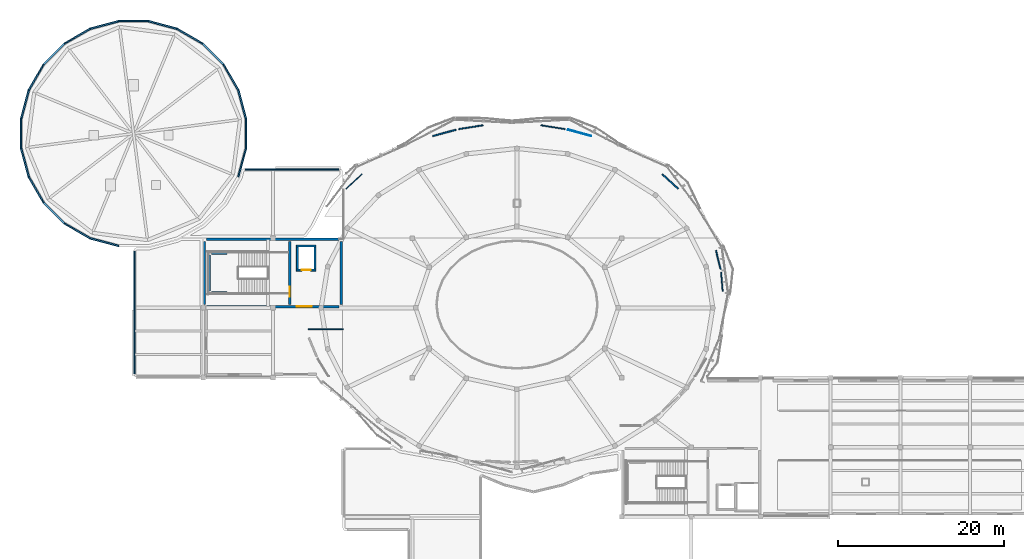
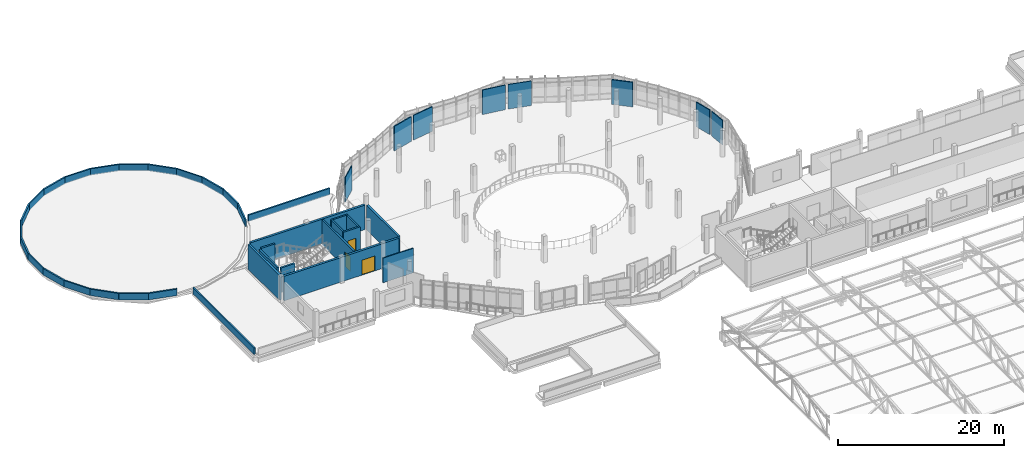
# One storey, part 61 of 74: 42 walls, 3 doors, 3 openings.
"""IFC4 building model written with IfcOpenShell, lengths in metres."""

from ifc_helpers import new_model, si_unit, derived_unit, direction, frame, frame_2d, origin, place, context, subcontext, project, spatial, rectangle, extrude, material, layer, layer_set, type_object, element, fill, save


model = new_model("IFC4")

# Units and contexts
model_context = context("Model", 3, precision=1e-05, world=origin(), true_north=direction((0.0, 1.0)))
body_context = subcontext(model_context, "Body", "Model", "MODEL_VIEW")
ifc_project = project(units=[si_unit("LENGTHUNIT", "METRE"), si_unit("AREAUNIT", "SQUARE_METRE"), si_unit("VOLUMEUNIT", "CUBIC_METRE"), si_unit("PLANEANGLEUNIT", "RADIAN"), si_unit("MASSUNIT", "GRAM", prefix="KILO"), derived_unit("THERMALTRANSMITTANCEUNIT", [(si_unit("POWERUNIT", "WATT"), 1), (si_unit("LENGTHUNIT", "METRE"), -2), (si_unit("THERMODYNAMICTEMPERATUREUNIT", "KELVIN"), -1)])], contexts=[model_context])

# Site, building, storey
site_placement = place(None, origin())
site = spatial("IfcSite", under=ifc_project, at=site_placement, CompositionType="ELEMENT")
building_placement = place(site_placement, origin())
building = spatial("IfcBuilding", under=site, at=building_placement, Name="Elbkamm Science Centre", CompositionType="ELEMENT")
storey_placement = place(building_placement, frame((0.0, 0.0, 14.39990234375)))
storey = spatial("IfcBuildingStorey", under=building, at=storey_placement, Name="L03", CompositionType="ELEMENT", Elevation=14.39990234375)

# Walls
ifc_material_1 = material(Name="Reinforced concrete C40/50", Category="concrete")
ifc_layer_1 = layer(ifc_material_1, 0.25)
ifc_layer_set_1 = layer_set([ifc_layer_1], Name="Reinforced concrete C40/50")
wall_type_1 = type_object("IfcWallType", Name="WL-CORE-250", PredefinedType="SHEAR", material=ifc_layer_set_1)
wall_1_placement = place(storey_placement, frame((25.93994140625, 69.219970703125, 0.0), z_axis=(0.0, 0.0, 1.0), x_axis=(0.0, 1.0, 0.0)))
element("IfcWall", 1, at=wall_1_placement, inside=storey, type_object=wall_type_1, Name="L03 ST-C1 Shaft Bearing Wall W", PredefinedType="SHEAR", context=body_context, shape_type="SweptSolid", body=[
    extrude(rectangle(XDim=4.360107421875, YDim=0.25, at=frame_2d((2.18017578125, 0.0))), origin(), (0.0, 0.0, 1.0), 3.6201171875),
])
for number, where, z_axis, x_axis, name in (
    (2, (26.18994140625, 69.02001953125, 0.0), (0.0, 0.0, 1.0), (1.0, 0.0, 0.0), "L03 ST-C1 Shaft Bearing Wall S"),
    (3, (26.18994140625, 73.780029296875, 0.0), (0.0, 0.0, 1.0), (1.0, 0.0, 0.0), "L03 ST-C1 Shaft Bearing Wall N"),
):
    element("IfcWall", number, at=place(storey_placement, frame(where, z_axis=z_axis, x_axis=x_axis)), inside=storey, type_object=wall_type_1, Name=name, PredefinedType="SHEAR", context=body_context, shape_type="SweptSolid", body=[
        extrude(rectangle(XDim=1.89013671875, YDim=0.25, at=frame_2d((0.945068359375, 0.0))), origin(), (0.0, 0.0, 1.0), 3.6201171875),
    ])

# Wall, opening, door
wall_2_placement = place(storey_placement, frame((35.6201171875, 67.6201171875, 0.0), z_axis=(0.0, 0.0, 1.0), x_axis=(0.0, 1.0, 0.0)))
wall_2 = element("IfcWall", 4, at=wall_2_placement, inside=storey, type_object=wall_type_1, Name="L03 C1 Stairwell Compartment Wall", PredefinedType="SHEAR", context=body_context, shape_type="SweptSolid", body=[
    extrude(rectangle(XDim=7.559814453125, YDim=0.25, at=frame_2d((3.77978515625, 0.0))), origin(), (0.0, 0.0, 1.0), 3.6201171875),
])
opening_1_placement = place(wall_2_placement, frame((0.89990234375, 0.0, 0.0)))
opening_1 = element("IfcOpeningElement", 5, at=opening_1_placement, cuts=wall_2, Name="Opening DC-02", PredefinedType="OPENING", context=body_context, shape_type="SweptSolid", body=[
    extrude(rectangle(XDim=1.199951171875, YDim=2.199951171875, at=frame_2d((0.60009765625, 1.10009765625))), frame((0.0, 0.136962890625, 0.0), z_axis=(0.0, -1.0, 0.0), x_axis=(1.0, 0.0, 0.0)), (0.0, 0.0, 1.0), 0.27392578125),
])
ifc_material_2 = material(Name="Fire-rated steel acoustic door", Category="steel")
ifc_layer_2 = layer(ifc_material_2, 0.050048828125)
ifc_layer_set_2 = layer_set([ifc_layer_2], Name="Fire-rated steel acoustic door")
door_type_1 = type_object("IfcDoorType", Name="DR-CORE-1200x2200", OperationType="NOTDEFINED", PredefinedType="DOOR", material=ifc_layer_set_2)
door_1_placement = place(opening_1_placement, origin())
door_1 = element("IfcDoor", 6, at=door_1_placement, inside=storey, type_object=door_type_1, Name="L03 ST-C1 Stairwell Fire Door", OperationType="SINGLE_SWING_LEFT", OverallHeight=2.199951171875, OverallWidth=1.199951171875, PredefinedType="DOOR", context=body_context, shape_type="SweptSolid", body=[
    extrude(rectangle(XDim=1.199951171875, YDim=2.199951171875, at=frame_2d((0.60009765625, 1.10009765625))), frame((0.0, 0.02490234375, 0.0), z_axis=(0.0, -1.0, 0.0), x_axis=(1.0, 0.0, 0.0)), (0.0, 0.0, 1.0), 0.050048828125),
])
fill(opening_1, door_1)

ifc_layer_3 = layer(ifc_material_1, 0.300048828125)
ifc_layer_set_3 = layer_set([ifc_layer_3], Name="Reinforced concrete C40/50")
wall_type_2 = type_object("IfcWallType", Name="WL-CORE-300", PredefinedType="SHEAR", material=ifc_layer_set_3)
wall_3_placement = place(storey_placement, frame((25.6201171875, 67.35009765625, 0.0), z_axis=(0.0, 0.0, 1.0), x_axis=(1.0, 0.0, 0.0)))
wall_3 = element("IfcWall", 7, at=wall_3_placement, inside=storey, type_object=wall_type_2, Name="L03 Core C1 Northwest Planetarium and Exhibition Core Shear Wall S", PredefinedType="SHEAR", context=body_context, shape_type="SweptSolid", body=[
    extrude(rectangle(XDim=15.9599609375, YDim=0.300048828125, at=frame_2d((7.97998046875, 0.0))), origin(), (0.0, 0.0, 1.0), 3.6201171875),
])
opening_2_placement = place(wall_3_placement, frame((10.860107421875, 0.0, 0.0)))
opening_2 = element("IfcOpeningElement", 8, at=opening_2_placement, cuts=wall_3, Name="Opening DC-01", PredefinedType="OPENING", context=body_context, shape_type="SweptSolid", body=[
    extrude(rectangle(XDim=1.800048828125, YDim=2.199951171875, at=frame_2d((0.89990234375, 1.10009765625))), frame((0.0, 0.162109375, 0.0), z_axis=(0.0, -1.0, 0.0), x_axis=(1.0, 0.0, 0.0)), (0.0, 0.0, 1.0), 0.323974609375),
])
ifc_layer_4 = layer(ifc_material_2, 0.050048828125)
ifc_layer_set_4 = layer_set([ifc_layer_4], Name="Fire-rated steel acoustic door")
door_type_2 = type_object("IfcDoorType", Name="DR-CORE-1800x2200", OperationType="DOUBLE_DOOR_SINGLE_SWING", PredefinedType="DOOR", material=ifc_layer_set_4)
door_2_placement = place(opening_2_placement, origin())
door_2 = element("IfcDoor", 9, at=door_2_placement, inside=storey, type_object=door_type_2, Name="L03 C1 Core Lobby Fire Door", OperationType="DOUBLE_DOOR_SINGLE_SWING", OverallHeight=2.199951171875, OverallWidth=1.800048828125, PredefinedType="DOOR", context=body_context, shape_type="SweptSolid", body=[
    extrude(rectangle(XDim=1.800048828125, YDim=2.199951171875, at=frame_2d((0.89990234375, 1.10009765625))), frame((0.0, 0.02490234375, 0.0), z_axis=(0.0, -1.0, 0.0), x_axis=(1.0, 0.0, 0.0)), (0.0, 0.0, 1.0), 0.050048828125),
])
fill(opening_2, door_2)

# Walls
wall_4_placement = place(storey_placement, frame((25.6201171875, 75.449951171875, 0.0), z_axis=(0.0, 0.0, 1.0), x_axis=(1.0, 0.0, 0.0)))
element("IfcWall", 10, at=wall_4_placement, inside=storey, type_object=wall_type_2, Name="L03 Core C1 Northwest Planetarium and Exhibition Core Shear Wall N", PredefinedType="SHEAR", context=body_context, shape_type="SweptSolid", body=[
    extrude(rectangle(XDim=15.9599609375, YDim=0.300048828125, at=frame_2d((7.97998046875, 0.0))), origin(), (0.0, 0.0, 1.0), 3.6201171875),
])
for number, where, z_axis, x_axis, name in (
    (11, (25.35009765625, 67.6201171875, 0.0), (0.0, 0.0, 1.0), (0.0, 1.0, 0.0), "L03 Core C1 Northwest Planetarium and Exhibition Core Shear Wall W"),
    (12, (41.85009765625, 67.6201171875, 0.0), (0.0, 0.0, 1.0), (0.0, 1.0, 0.0), "L03 Core C1 Northwest Planetarium and Exhibition Core Shear Wall E"),
):
    element("IfcWall", number, at=place(storey_placement, frame(where, z_axis=z_axis, x_axis=x_axis)), inside=storey, type_object=wall_type_2, Name=name, PredefinedType="SHEAR", context=body_context, shape_type="SweptSolid", body=[
        extrude(rectangle(XDim=7.559814453125, YDim=0.300048828125, at=frame_2d((3.77978515625, 0.0))), origin(), (0.0, 0.0, 1.0), 3.6201171875),
    ])
ifc_material_3 = material(Name="White precast concrete C40/50", Category="concrete")
ifc_layer_5 = layer(ifc_material_3, 0.18994140625)
ifc_layer_set_5 = layer_set([ifc_layer_5], Name="White precast concrete C40/50")
wall_type_3 = type_object("IfcWallType", Name="WL-PAR-190", PredefinedType="PARAPET", material=ifc_layer_set_5)
wall_5_placement = place(storey_placement, frame((30.341796875, 86.4169921875, 0.06005859375), z_axis=(0.0, 0.0, 1.0), x_axis=(-0.258821647913, -0.965925128864, 0.0)))
element("IfcWall", 13, at=wall_5_placement, inside=storey, type_object=wall_type_3, Name="L03 Roof Parapet Wall 001", PredefinedType="PARAPET", context=body_context, shape_type="SweptSolid", body=[
    extrude(rectangle(XDim=3.565673828125, YDim=0.18994140625, at=frame_2d((1.78271484375, 0.0))), origin(), (0.0, 0.0, 1.0), 0.949951171875),
])
for number, where, z_axis, x_axis, name in (
    (14, (11.572998046875, 75.5810546875, 0.06005859375), (0.0, 0.0, 1.0), (-0.86603507536, 0.499983247966, 0.0), "L03 Roof Parapet Wall 003"),
    (15, (5.963623046875, 79.885009765625, 0.06005859375), (0.0, 0.0, 1.0), (-0.499983247966, 0.86603507536, 0.0), "L03 Roof Parapet Wall 005"),
):
    element("IfcWall", number, at=place(storey_placement, frame(where, z_axis=z_axis, x_axis=x_axis)), inside=storey, type_object=wall_type_3, Name=name, PredefinedType="PARAPET", context=body_context, shape_type="SweptSolid", body=[
        extrude(rectangle(XDim=3.5654296875, YDim=0.18994140625, at=frame_2d((1.78271484375, 0.0))), origin(), (0.0, 0.0, 1.0), 0.949951171875),
    ])
wall_6_placement = place(storey_placement, frame((3.258056640625, 86.4169921875, 0.06005859375), z_axis=(0.0, 0.0, 1.0), x_axis=(0.0, 1.0, 0.0)))
element("IfcWall", 16, at=wall_6_placement, inside=storey, type_object=wall_type_3, Name="L03 Roof Parapet Wall 007", PredefinedType="PARAPET", context=body_context, shape_type="SweptSolid", body=[
    extrude(rectangle(XDim=3.56591796875, YDim=0.18994140625, at=frame_2d((1.782958984375, 0.0))), origin(), (0.0, 0.0, 1.0), 0.949951171875),
])
for number, where, z_axis, x_axis, name in (
    (17, (4.180908203125, 93.427001953125, 0.06005859375), (0.0, 0.0, 1.0), (0.499983247966, 0.86603507536, 0.0), "L03 Roof Parapet Wall 009"),
    (18, (8.485107421875, 99.036376953125, 0.06005859375), (0.0, 0.0, 1.0), (0.86603507536, 0.499983247966, 0.0), "L03 Roof Parapet Wall 011"),
):
    element("IfcWall", number, at=place(storey_placement, frame(where, z_axis=z_axis, x_axis=x_axis)), inside=storey, type_object=wall_type_3, Name=name, PredefinedType="PARAPET", context=body_context, shape_type="SweptSolid", body=[
        extrude(rectangle(XDim=3.5654296875, YDim=0.18994140625, at=frame_2d((1.78271484375, 0.0))), origin(), (0.0, 0.0, 1.0), 0.949951171875),
    ])
wall_7_placement = place(storey_placement, frame((15.01708984375, 101.741943359375, 0.06005859375), z_axis=(0.0, 0.0, 1.0), x_axis=(1.0, 0.0, 0.0)))
element("IfcWall", 19, at=wall_7_placement, inside=storey, type_object=wall_type_3, Name="L03 Roof Parapet Wall 013", PredefinedType="PARAPET", context=body_context, shape_type="SweptSolid", body=[
    extrude(rectangle(XDim=3.56591796875, YDim=0.18994140625, at=frame_2d((1.782958984375, 0.0))), origin(), (0.0, 0.0, 1.0), 0.949951171875),
])
for number, where, z_axis, x_axis, name in (
    (20, (22.027099609375, 100.819091796875, 0.06005859375), (0.0, 0.0, 1.0), (0.86603507536, -0.499983247966, 0.0), "L03 Roof Parapet Wall 015"),
    (21, (27.63623046875, 96.514892578125, 0.06005859375), (0.0, 0.0, 1.0), (0.499983247966, -0.86603507536, 0.0), "L03 Roof Parapet Wall 017"),
):
    element("IfcWall", number, at=place(storey_placement, frame(where, z_axis=z_axis, x_axis=x_axis)), inside=storey, type_object=wall_type_3, Name=name, PredefinedType="PARAPET", context=body_context, shape_type="SweptSolid", body=[
        extrude(rectangle(XDim=3.5654296875, YDim=0.18994140625, at=frame_2d((1.78271484375, 0.0))), origin(), (0.0, 0.0, 1.0), 0.949951171875),
    ])
wall_8_placement = place(storey_placement, frame((30.341796875, 89.98291015625, 0.06005859375), z_axis=(0.0, 0.0, 1.0), x_axis=(0.0, -1.0, 0.0)))
element("IfcWall", 22, at=wall_8_placement, inside=storey, type_object=wall_type_3, Name="L03 Roof Parapet Wall 019", PredefinedType="PARAPET", context=body_context, shape_type="SweptSolid", body=[
    extrude(rectangle(XDim=3.56591796875, YDim=0.18994140625, at=frame_2d((1.782958984375, 0.0))), origin(), (0.0, 0.0, 1.0), 0.949951171875),
])
wall_9_placement = place(storey_placement, frame((16.93994140625, 59.25341796875, 0.0), z_axis=(0.0, 0.0, 1.0), x_axis=(0.0, 1.0, 0.0)))
element("IfcWall", 23, at=wall_9_placement, inside=storey, type_object=wall_type_3, Name="L03 Roof Parapet Wall 043", PredefinedType="PARAPET", context=body_context, shape_type="SweptSolid", body=[
    extrude(rectangle(XDim=14.76123046875, YDim=0.18994140625, at=frame_2d((7.380615234375, 0.0))), origin(), (0.0, 0.0, 1.0), 0.9501953125),
])
ifc_layer_6 = layer(ifc_material_3, 0.2099609375)
ifc_layer_set_6 = layer_set([ifc_layer_6], Name="White precast concrete C40/50")
wall_type_4 = type_object("IfcWallType", Name="WL-PAR-210", PredefinedType="PARAPET", material=ifc_layer_set_6)
for number, where, z_axis, x_axis, name in (
    (24, (15.01708984375, 74.658203125, 0.06005859375), (0.0, 0.0, 1.0), (-0.965925128864, 0.258821647913, 0.0), "L03 Roof Parapet Wall 002"),
    (25, (8.485107421875, 77.36376953125, 0.06005859375), (0.0, 0.0, 1.0), (-0.707141014528, 0.707072546188, 0.0), "L03 Roof Parapet Wall 004"),
    (26, (4.180908203125, 82.972900390625, 0.06005859375), (0.0, 0.0, 1.0), (-0.258821647913, 0.965925128864, 0.0), "L03 Roof Parapet Wall 006"),
    (27, (3.258056640625, 89.98291015625, 0.06005859375), (0.0, 0.0, 1.0), (0.258821647913, 0.965925128864, 0.0), "L03 Roof Parapet Wall 008"),
):
    element("IfcWall", number, at=place(storey_placement, frame(where, z_axis=z_axis, x_axis=x_axis)), inside=storey, type_object=wall_type_4, Name=name, PredefinedType="PARAPET", context=body_context, shape_type="SweptSolid", body=[
        extrude(rectangle(XDim=3.565673828125, YDim=0.2099609375, at=frame_2d((1.78271484375, 0.0))), origin(), (0.0, 0.0, 1.0), 0.949951171875),
    ])
wall_10_placement = place(storey_placement, frame((5.963623046875, 96.514892578125, 0.06005859375), z_axis=(0.0, 0.0, 1.0), x_axis=(0.707106781187, 0.707106781187, 0.0)))
element("IfcWall", 28, at=wall_10_placement, inside=storey, type_object=wall_type_4, Name="L03 Roof Parapet Wall 010", PredefinedType="PARAPET", context=body_context, shape_type="SweptSolid", body=[
    extrude(rectangle(XDim=3.56591796875, YDim=0.2099609375, at=frame_2d((1.782958984375, 0.0))), origin(), (0.0, 0.0, 1.0), 0.949951171875),
])
for number, where, z_axis, x_axis, name in (
    (29, (11.572998046875, 100.819091796875, 0.06005859375), (0.0, 0.0, 1.0), (0.965925128864, 0.258821647913, 0.0), "L03 Roof Parapet Wall 012"),
    (30, (18.5830078125, 101.741943359375, 0.06005859375), (0.0, 0.0, 1.0), (0.965925128864, -0.258821647913, 0.0), "L03 Roof Parapet Wall 014"),
    (31, (25.114990234375, 99.036376953125, 0.06005859375), (0.0, 0.0, 1.0), (0.707072546188, -0.707141014528, 0.0), "L03 Roof Parapet Wall 016"),
    (32, (29.4189453125, 93.427001953125, 0.06005859375), (0.0, 0.0, 1.0), (0.258821647913, -0.965925128864, 0.0), "L03 Roof Parapet Wall 018"),
):
    element("IfcWall", number, at=place(storey_placement, frame(where, z_axis=z_axis, x_axis=x_axis)), inside=storey, type_object=wall_type_4, Name=name, PredefinedType="PARAPET", context=body_context, shape_type="SweptSolid", body=[
        extrude(rectangle(XDim=3.565673828125, YDim=0.2099609375, at=frame_2d((1.78271484375, 0.0))), origin(), (0.0, 0.0, 1.0), 0.949951171875),
    ])
wall_11_placement = place(storey_placement, frame((30.23974609375, 83.860107421875, 0.0), z_axis=(0.0, 0.0, 1.0), x_axis=(1.0, 0.0, 0.0)))
element("IfcWall", 33, at=wall_11_placement, inside=storey, type_object=wall_type_4, Name="L03 Roof Parapet Wall 044", PredefinedType="PARAPET", context=body_context, shape_type="SweptSolid", body=[
    extrude(rectangle(XDim=11.306640625, YDim=0.2099609375, at=frame_2d((5.6533203125, 0.0))), origin(), (0.0, 0.0, 1.0), 0.9501953125),
])
ifc_material_4 = material(Name="Drywall service partition", Category="gypsum")
ifc_layer_7 = layer(ifc_material_4, 0.10009765625)
ifc_layer_set_7 = layer_set([ifc_layer_7], Name="Drywall service partition")
wall_type_5 = type_object("IfcWallType", Name="WL-PART-100", PredefinedType="PARTITIONING", material=ifc_layer_set_7)
wall_12_placement = place(storey_placement, frame((42.381591796875, 81.540283203125, 0.0), z_axis=(0.0, 0.0, 1.0), x_axis=(0.737472367945, 0.675377306784, 0.0)))
element("IfcWall", 34, at=wall_12_placement, inside=storey, type_object=wall_type_5, Name="L03 Wave and Physics Exhibition Hall Partition 0195", PredefinedType="PARTITIONING", context=body_context, shape_type="SweptSolid", body=[
    extrude(rectangle(XDim=2.610595703125, YDim=0.10009765625, at=frame_2d((1.30517578125, 0.0))), origin(), (0.0, 0.0, 1.0), 3.6201171875),
])
wall_13_placement = place(storey_placement, frame((69.147705078125, 88.65771484375, 0.0), z_axis=(0.0, 0.0, 1.0), x_axis=(0.964754110376, -0.263153009695, 0.0)))
element("IfcWall", 35, at=wall_13_placement, inside=storey, type_object=wall_type_5, Name="L03 Wave and Physics Exhibition Hall Partition 0199", PredefinedType="PARTITIONING", context=body_context, shape_type="SweptSolid", body=[
    extrude(rectangle(XDim=2.901123046875, YDim=0.10009765625, at=frame_2d((1.45068359375, 0.0))), origin(), (0.0, 0.0, 1.0), 3.6201171875),
])
ifc_material_5 = material(Name="Lightweight metal-stud gypsum partition", Category="gypsum")
ifc_layer_8 = layer(ifc_material_5, 0.125)
ifc_layer_set_8 = layer_set([ifc_layer_8], Name="Lightweight metal-stud gypsum partition")
wall_type_6 = type_object("IfcWallType", Name="WL-PART-125", PredefinedType="PARTITIONING", material=ifc_layer_set_8)
wall_14_placement = place(storey_placement, frame((65.89306640625, 89.197021484375, 0.0), z_axis=(0.0, 0.0, 1.0), x_axis=(0.987488776564, -0.157689302615, 0.0)))
element("IfcWall", 36, at=wall_14_placement, inside=storey, type_object=wall_type_6, Name="L03 Wave and Physics Exhibition Hall Partition 0198", PredefinedType="PARTITIONING", context=body_context, shape_type="SweptSolid", body=[
    extrude(rectangle(XDim=2.940185546875, YDim=0.125, at=frame_2d((1.47021484375, 0.0))), origin(), (0.0, 0.0, 1.0), 3.6201171875),
])
wall_15_placement = place(storey_placement, frame((87.597412109375, 71.4833984375, 0.0), z_axis=(0.0, 0.0, 1.0), x_axis=(0.081323468915, -0.996687761239, 0.0)))
element("IfcWall", 37, at=wall_15_placement, inside=storey, type_object=wall_type_6, Name="L03 Wave and Physics Exhibition Hall Partition 0202", PredefinedType="PARTITIONING", context=body_context, shape_type="SweptSolid", body=[
    extrude(rectangle(XDim=2.3115234375, YDim=0.125, at=frame_2d((1.15576171875, 0.0))), origin(), (0.0, 0.0, 1.0), 3.6201171875),
])
ifc_material_6 = material(Name="Acoustic metal-stud gypsum partition", Category="gypsum")
ifc_layer_9 = layer(ifc_material_6, 0.139892578125)
ifc_layer_set_9 = layer_set([ifc_layer_9], Name="Acoustic metal-stud gypsum partition")
wall_type_7 = type_object("IfcWallType", Name="WL-PART-140", PredefinedType="PARTITIONING", material=ifc_layer_set_9)
wall_16_placement = place(storey_placement, frame((56.003662109375, 88.7333984375, 0.0), z_axis=(0.0, 0.0, 1.0), x_axis=(0.987488776564, 0.157689302615, 0.0)))
element("IfcWall", 38, at=wall_16_placement, inside=storey, type_object=wall_type_7, Name="L03 Wave and Physics Exhibition Hall Partition 0197", PredefinedType="PARTITIONING", context=body_context, shape_type="SweptSolid", body=[
    extrude(rectangle(XDim=2.940185546875, YDim=0.139892578125, at=frame_2d((1.47021484375, 0.0))), origin(), (0.0, 0.0, 1.0), 3.6201171875),
])
wall_17_placement = place(storey_placement, frame((86.977783203125, 74.105224609375, 0.0), z_axis=(0.0, 0.0, 1.0), x_axis=(0.240346685257, -0.970687112764, 0.0)))
element("IfcWall", 39, at=wall_17_placement, inside=storey, type_object=wall_type_7, Name="L03 Wave and Physics Exhibition Hall Partition 0201", PredefinedType="PARTITIONING", context=body_context, shape_type="SweptSolid", body=[
    extrude(rectangle(XDim=2.33642578125, YDim=0.139892578125, at=frame_2d((1.168212890625, 0.0))), origin(), (0.0, 0.0, 1.0), 3.6201171875),
])
wall_18_placement = place(storey_placement, frame((37.82763671875, 64.60009765625, 0.0), z_axis=(0.0, 0.0, 1.0), x_axis=(1.0, 0.0, 0.0)))
element("IfcWall", 40, at=wall_18_placement, inside=storey, type_object=wall_type_7, Name="L03 Wave and Physics Exhibition Hall Partition 0213", PredefinedType="PARTITIONING", context=body_context, shape_type="SweptSolid", body=[
    extrude(rectangle(XDim=4.242431640625, YDim=0.139892578125, at=frame_2d((2.12109375, 0.0))), origin(), (0.0, 0.0, 1.0), 3.6201171875),
])
ifc_layer_10 = layer(ifc_material_6, 0.159912109375)
ifc_layer_set_10 = layer_set([ifc_layer_10], Name="Acoustic metal-stud gypsum partition")
wall_type_8 = type_object("IfcWallType", Name="WL-PART-160", PredefinedType="PARTITIONING", material=ifc_layer_set_10)
wall_19_placement = place(storey_placement, frame((52.853515625, 87.894287109375, 0.0), z_axis=(0.0, 0.0, 1.0), x_axis=(0.964754110376, 0.263153009695, 0.0)))
element("IfcWall", 41, at=wall_19_placement, inside=storey, type_object=wall_type_8, Name="L03 Wave and Physics Exhibition Hall Partition 0196", PredefinedType="PARTITIONING", context=body_context, shape_type="SweptSolid", body=[
    extrude(rectangle(XDim=2.901123046875, YDim=0.159912109375, at=frame_2d((1.45068359375, 0.0))), origin(), (0.0, 0.0, 1.0), 3.6201171875),
])
wall_20_placement = place(storey_placement, frame((80.4931640625, 83.303466796875, 0.0), z_axis=(0.0, 0.0, 1.0), x_axis=(0.737472367945, -0.675377306784, 0.0)))
element("IfcWall", 42, at=wall_20_placement, inside=storey, type_object=wall_type_8, Name="L03 Wave and Physics Exhibition Hall Partition 0200", PredefinedType="PARTITIONING", context=body_context, shape_type="SweptSolid", body=[
    extrude(rectangle(XDim=2.610595703125, YDim=0.159912109375, at=frame_2d((1.30517578125, 0.0))), origin(), (0.0, 0.0, 1.0), 3.6201171875),
])
ifc_layer_11 = layer(ifc_material_1, 0.219970703125)
ifc_layer_set_11 = layer_set([ifc_layer_11], Name="Reinforced concrete C40/50")
wall_type_9 = type_object("IfcWallType", Name="WL-SHAFT-220", PredefinedType="SOLIDWALL", material=ifc_layer_set_11)
for number, where, z_axis, x_axis, name in (
    (43, (36.5400390625, 71.85009765625, 0.0), (0.0, 0.0, 1.0), (0.0, 1.0, 0.0), "L03 Lift FF1 Shaft West Wall"),
    (44, (38.659912109375, 71.85009765625, 0.0), (0.0, 0.0, 1.0), (0.0, 1.0, 0.0), "L03 Lift FF1 Shaft East Wall"),
):
    element("IfcWall", number, at=place(storey_placement, frame(where, z_axis=z_axis, x_axis=x_axis)), inside=storey, type_object=wall_type_9, Name=name, PredefinedType="SOLIDWALL", context=body_context, shape_type="SweptSolid", body=[
        extrude(rectangle(XDim=2.699951171875, YDim=0.219970703125, at=frame_2d((1.35009765625, 0.0))), origin(), (0.0, 0.0, 1.0), 3.6201171875),
    ])
wall_21_placement = place(storey_placement, frame((36.429931640625, 74.659912109375, 0.0), z_axis=(0.0, 0.0, 1.0), x_axis=(1.0, 0.0, 0.0)))
element("IfcWall", 45, at=wall_21_placement, inside=storey, type_object=wall_type_9, Name="L03 Lift FF1 Shaft Back Wall", PredefinedType="SOLIDWALL", context=body_context, shape_type="SweptSolid", body=[
    extrude(rectangle(XDim=2.340087890625, YDim=0.219970703125, at=frame_2d((1.169921875, 0.0))), origin(), (0.0, 0.0, 1.0), 3.6201171875),
])

# Wall, opening, door
wall_22_placement = place(storey_placement, frame((36.429931640625, 71.739990234375, 0.0), z_axis=(0.0, 0.0, 1.0), x_axis=(1.0, 0.0, 0.0)))
wall_22 = element("IfcWall", 46, at=wall_22_placement, inside=storey, type_object=wall_type_9, Name="L03 Lift FF1 Shaft Front Wall", PredefinedType="SOLIDWALL", context=body_context, shape_type="SweptSolid", body=[
    extrude(rectangle(XDim=2.340087890625, YDim=0.219970703125, at=frame_2d((1.169921875, 0.0))), origin(), (0.0, 0.0, 1.0), 3.6201171875),
])
opening_3_placement = place(wall_22_placement, frame((0.6201171875, 0.0, 0.0)))
opening_3 = element("IfcOpeningElement", 47, at=opening_3_placement, cuts=wall_22, Name="Opening LD-01", PredefinedType="OPENING", context=body_context, shape_type="SweptSolid", body=[
    extrude(rectangle(XDim=1.10009765625, YDim=2.14990234375, at=frame_2d((0.550048828125, 1.074951171875))), frame((0.0, 0.1220703125, 0.0), z_axis=(0.0, -1.0, 0.0), x_axis=(1.0, 0.0, 0.0)), (0.0, 0.0, 1.0), 0.243896484375),
])
ifc_material_7 = material(Name="Stainless steel lift landing door", Category="steel")
ifc_layer_12 = layer(ifc_material_7, 0.050048828125)
ifc_layer_set_12 = layer_set([ifc_layer_12], Name="Stainless steel lift landing door")
door_type_3 = type_object("IfcDoorType", Name="DR-LIFT-1100x2150", OperationType="DOUBLE_DOOR_SLIDING", PredefinedType="DOOR", material=ifc_layer_set_12)
door_3_placement = place(opening_3_placement, origin())
door_3 = element("IfcDoor", 48, at=door_3_placement, inside=storey, type_object=door_type_3, Name="L03 Lift FF1 Sliding Landing Door", OperationType="DOUBLE_DOOR_SLIDING", OverallHeight=2.14990234375, OverallWidth=1.10009765625, PredefinedType="DOOR", context=body_context, shape_type="SweptSolid", body=[
    extrude(rectangle(XDim=1.10009765625, YDim=2.14990234375, at=frame_2d((0.550048828125, 1.074951171875))), frame((0.0, 0.02490234375, 0.0), z_axis=(0.0, -1.0, 0.0), x_axis=(1.0, 0.0, 0.0)), (0.0, 0.0, 1.0), 0.050048828125),
])
fill(opening_3, door_3)

save(model, "model.ifc")
